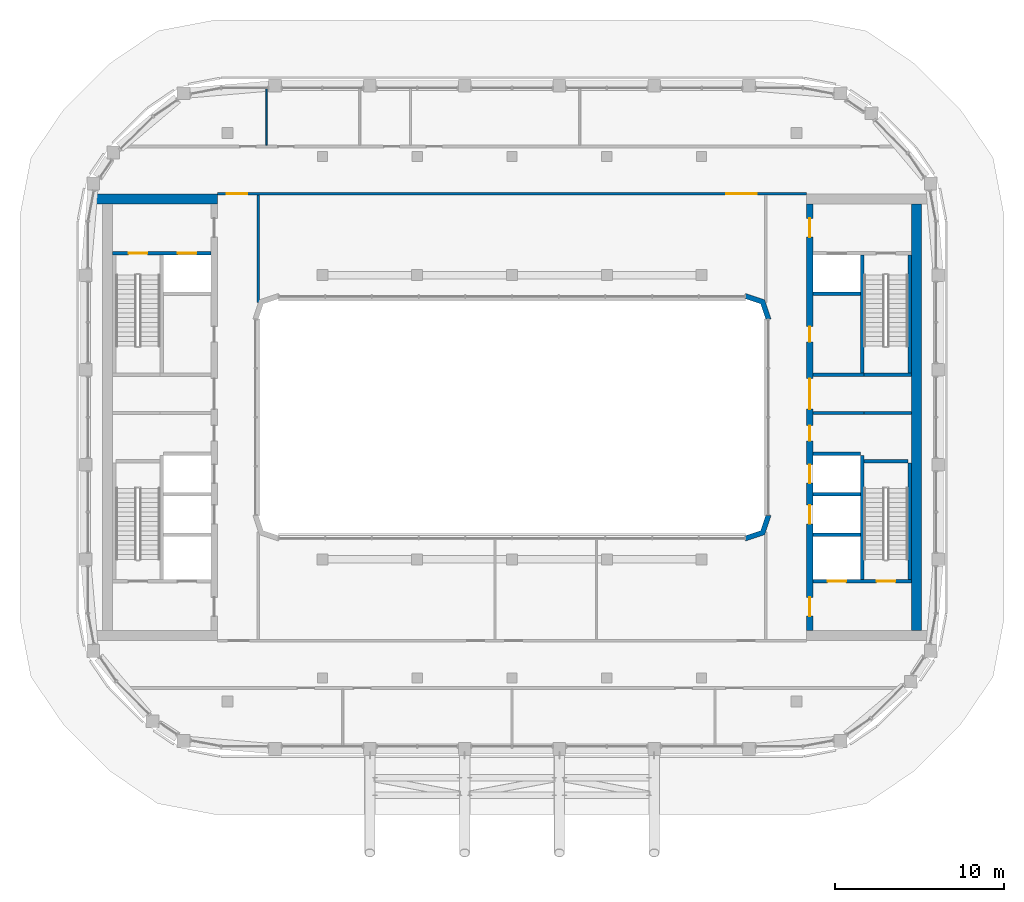
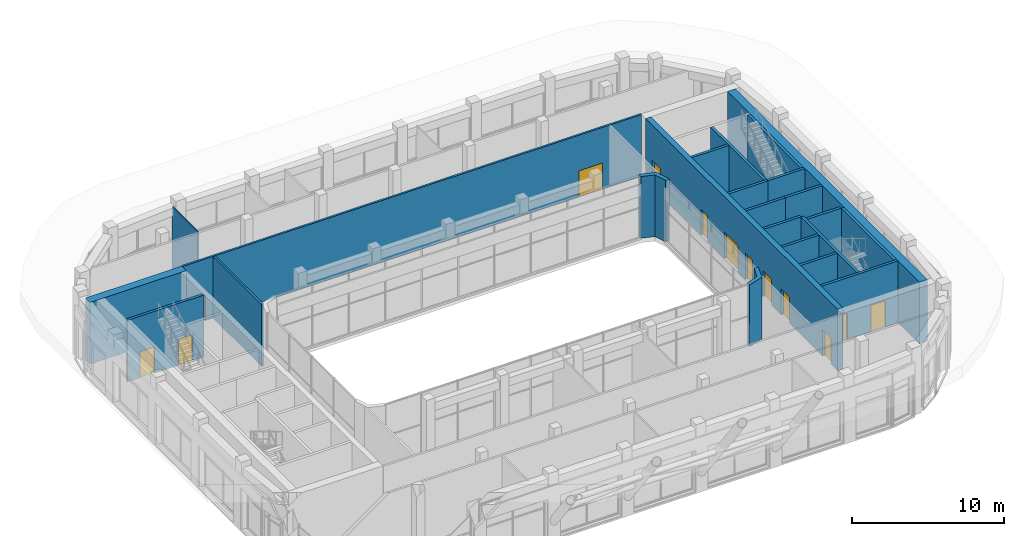
# One storey, part 17 of 24: 23 walls, 13 doors, 13 openings.
"""IFC4 building model written with IfcOpenShell, lengths in metres."""

from ifc_helpers import new_model, si_unit, direction, frame, frame_2d, origin, place, context, subcontext, project, spatial, polyline, rectangle, outline, extrude, material, layer, layer_set, type_object, element, fill, save


model = new_model("IFC4")

# Units and contexts
model_context = context("Model", 3, precision=1e-05, world=origin(), true_north=direction((0.0, 1.0)))
body_context = subcontext(model_context, "Body", "Model", "MODEL_VIEW")
ifc_project = project(units=[si_unit("LENGTHUNIT", "METRE"), si_unit("AREAUNIT", "SQUARE_METRE"), si_unit("VOLUMEUNIT", "CUBIC_METRE"), si_unit("PLANEANGLEUNIT", "RADIAN"), si_unit("MASSUNIT", "GRAM", prefix="KILO")], contexts=[model_context])

# Site, building, storey
site_placement = place(None, origin())
site = spatial("IfcSite", under=ifc_project, at=site_placement, CompositionType="ELEMENT")
building_placement = place(site_placement, origin())
building = spatial("IfcBuilding", under=site, at=building_placement, Name="Kiln Ring Residences", CompositionType="ELEMENT")
storey_placement = place(building_placement, frame((0.0, 0.0, 283.699951171875)))
storey = spatial("IfcBuildingStorey", under=building, at=storey_placement, Name="L74", CompositionType="ELEMENT", Elevation=283.699951171875)

# Walls
ifc_material_1 = material(Name="Gypsum board on steel studs", Category="steel")
ifc_layer_1 = layer(ifc_material_1, 0.199951171875)
ifc_layer_set_1 = layer_set([ifc_layer_1], Name="CORE-PARTITION-200")
wall_type_1 = type_object("IfcWallType", Name="CORE-PARTITION-200", PredefinedType="PARTITIONING", material=ifc_layer_set_1)
wall_1_placement = place(storey_placement, frame((20.800048828125, 0.25, 0.0), z_axis=(0.0, 0.0, 1.0), x_axis=(1.0, 0.0, 0.0)))
element("IfcWall", 1, at=wall_1_placement, inside=storey, type_object=wall_type_1, Name="Core partition east L74 1", PredefinedType="PARTITIONING", context=body_context, shape_type="SweptSolid", body=[
    extrude(rectangle(XDim=2.800048828125, YDim=0.199951171875, at=frame_2d((1.39990234375, 0.0))), origin(), (0.0, 0.0, 1.0), 4.949951171875),
])
ifc_material_2 = material(Name="Gypsum shaft wall system")
ifc_layer_2 = layer(ifc_material_2, 0.199951171875)
ifc_layer_set_2 = layer_set([ifc_layer_2], Name="CORE-SHAFT-WALL-200")
wall_type_2 = type_object("IfcWallType", Name="CORE-SHAFT-WALL-200", PredefinedType="PARTITIONING", material=ifc_layer_set_2)
for number, where, z_axis, x_axis, name in (
    (2, (17.800048828125, -6.949951171875, 0.0), (0.0, 0.0, 1.0), (1.0, 0.0, 0.0), "Core partition east L74 2"),
    (3, (17.800048828125, -4.550048828125, 0.0), (0.0, 0.0, 1.0), (1.0, 0.0, 0.0), "Core partition east L74 3"),
    (4, (17.800048828125, -2.14990234375, 0.0), (0.0, 0.0, 1.0), (1.0, 0.0, 0.0), "Core partition east L74 4"),
):
    element("IfcWall", number, at=place(storey_placement, frame(where, z_axis=z_axis, x_axis=x_axis)), inside=storey, type_object=wall_type_2, Name=name, PredefinedType="PARTITIONING", context=body_context, shape_type="SweptSolid", body=[
        extrude(rectangle(XDim=2.800048828125, YDim=0.199951171875, at=frame_2d((1.39990234375, 0.0))), origin(), (0.0, 0.0, 1.0), 4.949951171875),
    ])
for number, where, z_axis, x_axis, name in (
    (5, (17.800048828125, 0.25, 0.0), (0.0, 0.0, 1.0), (1.0, 0.0, 0.0), "Core partition east L74 5"),
    (6, (17.800048828125, 2.5, 0.0), (0.0, 0.0, 1.0), (1.0, 0.0, 0.0), "Core partition east L74 6"),
):
    element("IfcWall", number, at=place(storey_placement, frame(where, z_axis=z_axis, x_axis=x_axis)), inside=storey, type_object=wall_type_2, Name=name, PredefinedType="PARTITIONING", context=body_context, shape_type="SweptSolid", body=[
        extrude(rectangle(XDim=3.0, YDim=0.199951171875, at=frame_2d((1.5, 0.0))), origin(), (0.0, 0.0, 1.0), 4.949951171875),
    ])
wall_2_placement = place(storey_placement, frame((17.800048828125, 7.300048828125, 0.0), z_axis=(0.0, 0.0, 1.0), x_axis=(1.0, 0.0, 0.0)))
element("IfcWall", 7, at=wall_2_placement, inside=storey, type_object=wall_type_2, Name="Core partition east L74 7", PredefinedType="PARTITIONING", context=body_context, shape_type="SweptSolid", body=[
    extrude(rectangle(XDim=2.800048828125, YDim=0.199951171875, at=frame_2d((1.39990234375, 0.0))), origin(), (0.0, 0.0, 1.0), 4.949951171875),
])

# Wall, openings, doors
ifc_material_3 = material(Name="Concrete C40/50", Category="concrete")
ifc_layer_3 = layer(ifc_material_3, 0.199951171875)
ifc_layer_set_3 = layer_set([ifc_layer_3], Name="CORE-WALL-RC200")
wall_type_3 = type_object("IfcWallType", Name="CORE-WALL-RC200", PredefinedType="SHEAR", material=ifc_layer_set_3)
wall_3_placement = place(storey_placement, frame((-17.800048828125, 9.699951171875, 0.0), z_axis=(0.0, 0.0, 1.0), x_axis=(-1.0, 0.0, 0.0)))
wall_3 = element("IfcWall", 8, at=wall_3_placement, inside=storey, type_object=wall_type_3, Name="Core wall west L74 9", PredefinedType="SHEAR", context=body_context, shape_type="SweptSolid", body=[
    extrude(rectangle(XDim=5.800048828125, YDim=0.199951171875, at=frame_2d((2.89990234375, 0.0))), origin(), (0.0, 0.0, 1.0), 4.949951171875),
])
opening_1_placement = place(wall_3_placement, frame((0.85009765625, 0.0, 0.0)))
opening_1 = element("IfcOpeningElement", 9, at=opening_1_placement, cuts=wall_3, Name="Opening L74-CW06", PredefinedType="OPENING", context=body_context, shape_type="SweptSolid", body=[
    extrude(rectangle(XDim=1.10009765625, YDim=2.10009765625, at=frame_2d((0.550048828125, 1.050048828125))), frame((0.0, 0.10986328125, 0.0), z_axis=(0.0, -1.0, 0.0), x_axis=(1.0, 0.0, 0.0)), (0.0, 0.0, 1.0), 0.219970703125),
])
opening_2_placement = place(wall_3_placement, frame((3.75, 0.0, 0.0)))
opening_2 = element("IfcOpeningElement", 10, at=opening_2_placement, cuts=wall_3, Name="Opening L74-CW09", PredefinedType="OPENING", context=body_context, shape_type="SweptSolid", body=[
    extrude(rectangle(XDim=1.10009765625, YDim=2.10009765625, at=frame_2d((0.550048828125, 1.050048828125))), frame((0.0, 0.10986328125, 0.0), z_axis=(0.0, -1.0, 0.0), x_axis=(1.0, 0.0, 0.0)), (0.0, 0.0, 1.0), 0.219970703125),
])
ifc_material_4 = material(Name="Steel door leaf", Category="steel")
door_type_1 = type_object("IfcDoorType", Name="CORE-DOOR-LD", OperationType="DOUBLE_DOOR_SLIDING", PredefinedType="DOOR", material=ifc_material_4)
door_1_placement = place(opening_1_placement, origin())
door_1 = element("IfcDoor", 11, at=door_1_placement, inside=storey, type_object=door_type_1, Name="LD W-FF L74-CW06", OperationType="DOUBLE_DOOR_SLIDING", OverallHeight=2.10009765625, OverallWidth=1.10009765625, PredefinedType="DOOR", context=body_context, shape_type="SweptSolid", body=[
    extrude(rectangle(XDim=1.10009765625, YDim=2.10009765625, at=frame_2d((0.550048828125, 1.050048828125))), frame((0.0, 0.02490234375, 0.0), z_axis=(0.0, -1.0, 0.0), x_axis=(1.0, 0.0, 0.0)), (0.0, 0.0, 1.0), 0.050048828125),
])
fill(opening_1, door_1)
ifc_material_5 = material(Name="Steel door leaf", Category="steel")
door_type_2 = type_object("IfcDoorType", Name="CORE-DOOR-STAIR", OperationType="SINGLE_SWING_LEFT", PredefinedType="DOOR", material=ifc_material_5)
door_2_placement = place(opening_2_placement, origin())
door_2 = element("IfcDoor", 12, at=door_2_placement, inside=storey, type_object=door_type_2, Name="Stair W-STN L74-CW09", OperationType="SINGLE_SWING_LEFT", OverallHeight=2.10009765625, OverallWidth=1.10009765625, PredefinedType="DOOR", context=body_context, shape_type="SweptSolid", body=[
    extrude(rectangle(XDim=1.10009765625, YDim=2.10009765625, at=frame_2d((0.550048828125, 1.050048828125))), frame((0.0, 0.02490234375, 0.0), z_axis=(0.0, -1.0, 0.0), x_axis=(1.0, 0.0, 0.0)), (0.0, 0.0, 1.0), 0.050048828125),
])
fill(opening_2, door_2)

# Walls
wall_4_placement = place(storey_placement, frame((20.699951171875, 2.60009765625, 0.0), z_axis=(0.0, 0.0, 1.0), x_axis=(0.0, 1.0, 0.0)))
element("IfcWall", 13, at=wall_4_placement, inside=storey, type_object=wall_type_3, Name="Core wall east L74 1", PredefinedType="SHEAR", context=body_context, shape_type="SweptSolid", body=[
    extrude(rectangle(XDim=7.0, YDim=0.199951171875, at=frame_2d((3.5, 0.0))), origin(), (0.0, 0.0, 1.0), 4.949951171875),
])
wall_5_placement = place(storey_placement, frame((20.699951171875, -9.60009765625, 0.0), z_axis=(0.0, 0.0, 1.0), x_axis=(0.0, 1.0, 0.0)))
element("IfcWall", 14, at=wall_5_placement, inside=storey, type_object=wall_type_3, Name="Core wall east L74 2", PredefinedType="SHEAR", context=body_context, shape_type="SweptSolid", body=[
    extrude(rectangle(XDim=7.35009765625, YDim=0.199951171875, at=frame_2d((3.675048828125, 0.0))), origin(), (0.0, 0.0, 1.0), 4.949951171875),
])
wall_6_placement = place(storey_placement, frame((20.800048828125, 2.5, 0.0), z_axis=(0.0, 0.0, 1.0), x_axis=(1.0, 0.0, 0.0)))
element("IfcWall", 15, at=wall_6_placement, inside=storey, type_object=wall_type_3, Name="Core wall east L74 3", PredefinedType="SHEAR", context=body_context, shape_type="SweptSolid", body=[
    extrude(rectangle(XDim=2.800048828125, YDim=0.199951171875, at=frame_2d((1.39990234375, 0.0))), origin(), (0.0, 0.0, 1.0), 4.949951171875),
])

# Wall, openings, doors
wall_7_placement = place(storey_placement, frame((17.800048828125, -9.699951171875, 0.0), z_axis=(0.0, 0.0, 1.0), x_axis=(1.0, 0.0, 0.0)))
wall_7 = element("IfcWall", 16, at=wall_7_placement, inside=storey, type_object=wall_type_3, Name="Core wall east L74 8", PredefinedType="SHEAR", context=body_context, shape_type="SweptSolid", body=[
    extrude(rectangle(XDim=5.800048828125, YDim=0.199951171875, at=frame_2d((2.89990234375, 0.0))), origin(), (0.0, 0.0, 1.0), 4.949951171875),
])
opening_3_placement = place(wall_7_placement, frame((0.85009765625, 0.0, 0.0)))
opening_3 = element("IfcOpeningElement", 17, at=opening_3_placement, cuts=wall_7, Name="Opening L74-CE01", PredefinedType="OPENING", context=body_context, shape_type="SweptSolid", body=[
    extrude(rectangle(XDim=1.10009765625, YDim=2.10009765625, at=frame_2d((0.550048828125, 1.050048828125))), frame((0.0, 0.10986328125, 0.0), z_axis=(0.0, -1.0, 0.0), x_axis=(1.0, 0.0, 0.0)), (0.0, 0.0, 1.0), 0.219970703125),
])
opening_4_placement = place(wall_7_placement, frame((3.75, 0.0, 0.0)))
opening_4 = element("IfcOpeningElement", 18, at=opening_4_placement, cuts=wall_7, Name="Opening L74-CE10", PredefinedType="OPENING", context=body_context, shape_type="SweptSolid", body=[
    extrude(rectangle(XDim=1.10009765625, YDim=2.10009765625, at=frame_2d((0.550048828125, 1.050048828125))), frame((0.0, 0.10986328125, 0.0), z_axis=(0.0, -1.0, 0.0), x_axis=(1.0, 0.0, 0.0)), (0.0, 0.0, 1.0), 0.219970703125),
])
door_3_placement = place(opening_3_placement, origin())
door_3 = element("IfcDoor", 19, at=door_3_placement, inside=storey, type_object=door_type_1, Name="LD E-SV L74-CE01", OperationType="DOUBLE_DOOR_SLIDING", OverallHeight=2.10009765625, OverallWidth=1.10009765625, PredefinedType="DOOR", context=body_context, shape_type="SweptSolid", body=[
    extrude(rectangle(XDim=1.10009765625, YDim=2.10009765625, at=frame_2d((0.550048828125, 1.050048828125))), frame((0.0, 0.02490234375, 0.0), z_axis=(0.0, -1.0, 0.0), x_axis=(1.0, 0.0, 0.0)), (0.0, 0.0, 1.0), 0.050048828125),
])
fill(opening_3, door_3)
door_4_placement = place(opening_4_placement, origin())
door_4 = element("IfcDoor", 20, at=door_4_placement, inside=storey, type_object=door_type_2, Name="Stair E-STS L74-CE10", OperationType="SINGLE_SWING_RIGHT", OverallHeight=2.10009765625, OverallWidth=1.10009765625, PredefinedType="DOOR", context=body_context, shape_type="SweptSolid", body=[
    extrude(rectangle(XDim=1.10009765625, YDim=2.10009765625, at=frame_2d((0.550048828125, 1.050048828125))), frame((0.0, 0.02490234375, 0.0), z_axis=(0.0, -1.0, 0.0), x_axis=(1.0, 0.0, 0.0)), (0.0, 0.0, 1.0), 0.050048828125),
])
fill(opening_4, door_4)

# Walls
wall_8_placement = place(storey_placement, frame((23.5, 2.60009765625, 0.0), z_axis=(0.0, 0.0, 1.0), x_axis=(0.0, 1.0, 0.0)))
element("IfcWall", 21, at=wall_8_placement, inside=storey, type_object=wall_type_3, Name="Core wall east L74 10", PredefinedType="SHEAR", context=body_context, shape_type="SweptSolid", body=[
    extrude(rectangle(XDim=7.0, YDim=0.199951171875, at=frame_2d((3.5, 0.0))), origin(), (0.0, 0.0, 1.0), 4.949951171875),
])
wall_9_placement = place(storey_placement, frame((23.5, -9.60009765625, 0.0), z_axis=(0.0, 0.0, 1.0), x_axis=(0.0, 1.0, 0.0)))
element("IfcWall", 22, at=wall_9_placement, inside=storey, type_object=wall_type_3, Name="Core wall east L74 11", PredefinedType="SHEAR", context=body_context, shape_type="SweptSolid", body=[
    extrude(rectangle(XDim=6.900146484375, YDim=0.199951171875, at=frame_2d((3.4501953125, 0.0))), origin(), (0.0, 0.0, 1.0), 4.949951171875),
])
wall_10_placement = place(storey_placement, frame((20.800048828125, -2.60009765625, 0.0), z_axis=(0.0, 0.0, 1.0), x_axis=(1.0, 0.0, 0.0)))
element("IfcWall", 23, at=wall_10_placement, inside=storey, type_object=wall_type_3, Name="Core wall east L74 12", PredefinedType="SHEAR", context=body_context, shape_type="SweptSolid", body=[
    extrude(rectangle(XDim=2.599853515625, YDim=0.199951171875, at=frame_2d((1.2998046875, 0.0))), origin(), (0.0, 0.0, 1.0), 4.949951171875),
])

# Wall, openings, doors
ifc_material_6 = material(Name="Concrete C60/75", Category="concrete")
ifc_layer_4 = layer(ifc_material_6, 0.39990234375)
ifc_layer_set_4 = layer_set([ifc_layer_4], Name="CORE-WALL-RC400")
wall_type_4 = type_object("IfcWallType", Name="CORE-WALL-RC400", PredefinedType="SHEAR", material=ifc_layer_set_4)
wall_11_placement = place(storey_placement, frame((17.60009765625, -12.60009765625, 0.0), z_axis=(0.0, 0.0, 1.0), x_axis=(0.0, 1.0, 0.0)))
wall_11 = element("IfcWall", 24, at=wall_11_placement, inside=storey, type_object=wall_type_4, Name="Core wall east L74 6", PredefinedType="SHEAR", context=body_context, shape_type="SweptSolid", body=[
    extrude(rectangle(XDim=25.2001953125, YDim=0.39990234375, at=frame_2d((12.60009765625, 0.0))), origin(), (0.0, 0.0, 1.0), 4.949951171875),
])
opening_5_placement = place(wall_11_placement, frame((6.300048828125, 0.0, 0.0)))
opening_5 = element("IfcOpeningElement", 25, at=opening_5_placement, cuts=wall_11, Name="Opening L74-CE02", PredefinedType="OPENING", context=body_context, shape_type="SweptSolid", body=[
    extrude(rectangle(XDim=1.10009765625, YDim=2.10009765625, at=frame_2d((0.550048828125, 1.050048828125))), frame((0.0, 0.2099609375, 0.0), z_axis=(0.0, -1.0, 0.0), x_axis=(1.0, 0.0, 0.0)), (0.0, 0.0, 1.0), 0.419921875),
])
opening_6_placement = place(wall_11_placement, frame((8.699951171875, 0.0, 0.0)))
opening_6 = element("IfcOpeningElement", 26, at=opening_6_placement, cuts=wall_11, Name="Opening L74-CE03", PredefinedType="OPENING", context=body_context, shape_type="SweptSolid", body=[
    extrude(rectangle(XDim=1.10009765625, YDim=2.10009765625, at=frame_2d((0.550048828125, 1.050048828125))), frame((0.0, 0.2099609375, 0.0), z_axis=(0.0, -1.0, 0.0), x_axis=(1.0, 0.0, 0.0)), (0.0, 0.0, 1.0), 0.419921875),
])
opening_7_placement = place(wall_11_placement, frame((11.199951171875, 0.0, 0.0)))
opening_7 = element("IfcOpeningElement", 27, at=opening_7_placement, cuts=wall_11, Name="Opening L74-CE04", PredefinedType="OPENING", context=body_context, shape_type="SweptSolid", body=[
    extrude(rectangle(XDim=0.89990234375, YDim=2.10009765625, at=frame_2d((0.449951171875, 1.050048828125))), frame((0.0, 0.2099609375, 0.0), z_axis=(0.0, -1.0, 0.0), x_axis=(1.0, 0.0, 0.0)), (0.0, 0.0, 1.0), 0.419921875),
])
opening_8_placement = place(wall_11_placement, frame((17.050048828125, 0.0, 0.0)))
opening_8 = element("IfcOpeningElement", 28, at=opening_8_placement, cuts=wall_11, Name="Opening L74-CE05", PredefinedType="OPENING", context=body_context, shape_type="SweptSolid", body=[
    extrude(rectangle(XDim=0.89990234375, YDim=2.10009765625, at=frame_2d((0.449951171875, 1.050048828125))), frame((0.0, 0.2099609375, 0.0), z_axis=(0.0, -1.0, 0.0), x_axis=(1.0, 0.0, 0.0)), (0.0, 0.0, 1.0), 0.419921875),
])
opening_9_placement = place(wall_11_placement, frame((23.25, 0.0, 0.0)))
opening_9 = element("IfcOpeningElement", 29, at=opening_9_placement, cuts=wall_11, Name="Opening L74-CE07", PredefinedType="OPENING", context=body_context, shape_type="SweptSolid", body=[
    extrude(rectangle(XDim=1.10009765625, YDim=2.10009765625, at=frame_2d((0.550048828125, 1.050048828125))), frame((0.0, 0.2099609375, 0.0), z_axis=(0.0, -1.0, 0.0), x_axis=(1.0, 0.0, 0.0)), (0.0, 0.0, 1.0), 0.419921875),
])
opening_10_placement = place(wall_11_placement, frame((0.85009765625, 0.0, 0.0)))
opening_10 = element("IfcOpeningElement", 30, at=opening_10_placement, cuts=wall_11, Name="Opening L74-CE08", PredefinedType="OPENING", context=body_context, shape_type="SweptSolid", body=[
    extrude(rectangle(XDim=1.10009765625, YDim=2.10009765625, at=frame_2d((0.550048828125, 1.050048828125))), frame((0.0, 0.2099609375, 0.0), z_axis=(0.0, -1.0, 0.0), x_axis=(1.0, 0.0, 0.0)), (0.0, 0.0, 1.0), 0.419921875),
])
opening_11_placement = place(wall_11_placement, frame((13.074951171875, 0.0, 0.0)))
opening_11 = element("IfcOpeningElement", 31, at=opening_11_placement, cuts=wall_11, Name="Opening L74-CE11", PredefinedType="OPENING", context=body_context, shape_type="SweptSolid", body=[
    extrude(rectangle(XDim=1.800048828125, YDim=2.10009765625, at=frame_2d((0.89990234375, 1.050048828125))), frame((0.0, 0.2099609375, 0.0), z_axis=(0.0, -1.0, 0.0), x_axis=(1.0, 0.0, 0.0)), (0.0, 0.0, 1.0), 0.419921875),
])
door_5_placement = place(opening_5_placement, origin())
door_5 = element("IfcDoor", 32, at=door_5_placement, inside=storey, type_object=door_type_1, Name="LD E-H1 L74-CE02", OperationType="DOUBLE_DOOR_SLIDING", OverallHeight=2.10009765625, OverallWidth=1.10009765625, PredefinedType="DOOR", context=body_context, shape_type="SweptSolid", body=[
    extrude(rectangle(XDim=1.10009765625, YDim=2.10009765625, at=frame_2d((0.550048828125, 1.050048828125))), frame((0.0, 0.02490234375, 0.0), z_axis=(0.0, -1.0, 0.0), x_axis=(1.0, 0.0, 0.0)), (0.0, 0.0, 1.0), 0.050048828125),
])
fill(opening_5, door_5)
door_6_placement = place(opening_6_placement, origin())
door_6 = element("IfcDoor", 33, at=door_6_placement, inside=storey, type_object=door_type_1, Name="LD E-H2 L74-CE03", OperationType="DOUBLE_DOOR_SLIDING", OverallHeight=2.10009765625, OverallWidth=1.10009765625, PredefinedType="DOOR", context=body_context, shape_type="SweptSolid", body=[
    extrude(rectangle(XDim=1.10009765625, YDim=2.10009765625, at=frame_2d((0.550048828125, 1.050048828125))), frame((0.0, 0.02490234375, 0.0), z_axis=(0.0, -1.0, 0.0), x_axis=(1.0, 0.0, 0.0)), (0.0, 0.0, 1.0), 0.050048828125),
])
fill(opening_6, door_6)
ifc_material_7 = material(Name="Steel door leaf", Category="steel")
door_type_3 = type_object("IfcDoorType", Name="CORE-DOOR-LOBBY", OperationType="SINGLE_SWING_LEFT", PredefinedType="DOOR", material=ifc_material_7)
door_7_placement = place(opening_9_placement, origin())
door_7 = element("IfcDoor", 34, at=door_7_placement, inside=storey, type_object=door_type_3, Name="FFL L74-CE07", OperationType="SINGLE_SWING_LEFT", OverallHeight=2.10009765625, OverallWidth=1.10009765625, PredefinedType="DOOR", context=body_context, shape_type="SweptSolid", body=[
    extrude(rectangle(XDim=1.10009765625, YDim=2.10009765625, at=frame_2d((0.550048828125, 1.050048828125))), frame((0.0, 0.02490234375, 0.0), z_axis=(0.0, -1.0, 0.0), x_axis=(1.0, 0.0, 0.0)), (0.0, 0.0, 1.0), 0.050048828125),
])
fill(opening_9, door_7)
door_8_placement = place(opening_10_placement, origin())
door_8 = element("IfcDoor", 35, at=door_8_placement, inside=storey, type_object=door_type_3, Name="SVL L74-CE08", OperationType="SINGLE_SWING_RIGHT", OverallHeight=2.10009765625, OverallWidth=1.10009765625, PredefinedType="DOOR", context=body_context, shape_type="SweptSolid", body=[
    extrude(rectangle(XDim=1.10009765625, YDim=2.10009765625, at=frame_2d((0.550048828125, 1.050048828125))), frame((0.0, 0.02490234375, 0.0), z_axis=(0.0, -1.0, 0.0), x_axis=(1.0, 0.0, 0.0)), (0.0, 0.0, 1.0), 0.050048828125),
])
fill(opening_10, door_8)
ifc_material_8 = material(Name="Steel door leaf", Category="steel")
door_type_4 = type_object("IfcDoorType", Name="CORE-DOOR-PASS", OperationType="DOUBLE_DOOR_SINGLE_SWING", PredefinedType="DOOR", material=ifc_material_8)
door_9_placement = place(opening_11_placement, origin())
door_9 = element("IfcDoor", 36, at=door_9_placement, inside=storey, type_object=door_type_4, Name="Core passage L74-CE11", OperationType="DOUBLE_DOOR_SINGLE_SWING", OverallHeight=2.10009765625, OverallWidth=1.800048828125, PredefinedType="DOOR", context=body_context, shape_type="SweptSolid", body=[
    extrude(rectangle(XDim=1.800048828125, YDim=2.10009765625, at=frame_2d((0.89990234375, 1.050048828125))), frame((0.0, 0.02490234375, 0.0), z_axis=(0.0, -1.0, 0.0), x_axis=(1.0, 0.0, 0.0)), (0.0, 0.0, 1.0), 0.050048828125),
])
fill(opening_11, door_9)
ifc_material_9 = material(Name="Steel door leaf", Category="steel")
door_type_5 = type_object("IfcDoorType", Name="CORE-DOOR-ROOM", OperationType="SINGLE_SWING_LEFT", PredefinedType="DOOR", material=ifc_material_9)
door_10_placement = place(opening_7_placement, origin())
door_10 = element("IfcDoor", 37, at=door_10_placement, inside=storey, type_object=door_type_5, Name="Cleaner's base L74-CE04", OperationType="SINGLE_SWING_LEFT", OverallHeight=2.10009765625, OverallWidth=0.89990234375, PredefinedType="DOOR", context=body_context, shape_type="SweptSolid", body=[
    extrude(rectangle(XDim=0.89990234375, YDim=2.10009765625, at=frame_2d((0.449951171875, 1.050048828125))), frame((0.0, 0.02490234375, 0.0), z_axis=(0.0, -1.0, 0.0), x_axis=(1.0, 0.0, 0.0)), (0.0, 0.0, 1.0), 0.050048828125),
])
fill(opening_7, door_10)
door_11_placement = place(opening_8_placement, origin())
door_11 = element("IfcDoor", 38, at=door_11_placement, inside=storey, type_object=door_type_5, Name="Goods store L74-CE05", OperationType="SINGLE_SWING_RIGHT", OverallHeight=2.10009765625, OverallWidth=0.89990234375, PredefinedType="DOOR", context=body_context, shape_type="SweptSolid", body=[
    extrude(rectangle(XDim=0.89990234375, YDim=2.10009765625, at=frame_2d((0.449951171875, 1.050048828125))), frame((0.0, 0.02490234375, 0.0), z_axis=(0.0, -1.0, 0.0), x_axis=(1.0, 0.0, 0.0)), (0.0, 0.0, 1.0), 0.050048828125),
])
fill(opening_8, door_11)

# Walls
ifc_material_10 = material(Name="Concrete C60/75", Category="concrete")
ifc_layer_5 = layer(ifc_material_10, 0.60009765625)
ifc_layer_set_5 = layer_set([ifc_layer_5], Name="CORE-WALL-RC600")
wall_type_5 = type_object("IfcWallType", Name="CORE-WALL-RC600", PredefinedType="SHEAR", material=ifc_layer_set_5)
wall_12_placement = place(storey_placement, frame((-17.39990234375, 12.89990234375, 0.0), z_axis=(0.0, 0.0, 1.0), x_axis=(-1.0, 0.0, 0.0)))
element("IfcWall", 39, at=wall_12_placement, inside=storey, type_object=wall_type_5, Name="Core wall west L74 4", PredefinedType="SHEAR", context=body_context, shape_type="SweptSolid", body=[
    extrude(rectangle(XDim=7.320068359375, YDim=0.60009765625, at=frame_2d((3.66015625, 0.0))), origin(), (0.0, 0.0, 1.0), 4.949951171875),
])
wall_13_placement = place(storey_placement, frame((23.89990234375, -12.60009765625, 0.0), z_axis=(0.0, 0.0, 1.0), x_axis=(0.0, 1.0, 0.0)))
element("IfcWall", 40, at=wall_13_placement, inside=storey, type_object=wall_type_5, Name="Core wall east L74 7", PredefinedType="SHEAR", context=body_context, shape_type="SweptSolid", body=[
    extrude(rectangle(XDim=25.2001953125, YDim=0.60009765625, at=frame_2d((12.60009765625, 0.0))), origin(), (0.0, 0.0, 1.0), 4.949951171875),
])
ifc_material_11 = material(Name="Brick masonry, dark clay brick", Category="masonry")
ifc_layer_6 = layer(ifc_material_11, 0.300048828125)
ifc_layer_set_6 = layer_set([ifc_layer_6], Name="EW-300 BRICK WALL")
wall_type_6 = type_object("IfcWallType", Name="EW-300 BRICK WALL", PredefinedType="SOLIDWALL", material=ifc_layer_set_6)
placement = place(storey_placement, origin())
element("IfcWall", 41, at=placement, inside=storey, type_object=wall_type_6, Name="Corner wall L74 2", PredefinedType="SOLIDWALL", context=body_context, shape_type="SweptSolid", body=[
    extrude(outline(polyline([(14.937255859375, 6.937255859375), (13.8486328125, 7.300048828125), (13.800048828125, 7.300048828125), (13.800048828125, 7.0), (14.699951171875, 6.699951171875), (15.0, 5.800048828125), (15.300048828125, 5.800048828125), (15.300048828125, 5.8486328125), (14.937255859375, 6.937255859375)])), origin(), (0.0, 0.0, 1.0), 4.949951171875),
])
element("IfcWall", 42, at=placement, inside=storey, type_object=wall_type_6, Name="Corner wall L74 3", PredefinedType="SOLIDWALL", context=body_context, shape_type="SweptSolid", body=[
    extrude(outline(polyline([(14.937255859375, -6.937255859375), (15.300048828125, -5.8486328125), (15.300048828125, -5.800048828125), (15.0, -5.800048828125), (14.699951171875, -6.699951171875), (13.800048828125, -7.0), (13.800048828125, -7.300048828125), (13.8486328125, -7.300048828125), (14.937255859375, -6.937255859375)])), origin(), (0.0, 0.0, 1.0), 4.949951171875),
])
ifc_material_12 = material(Name="Gypsum board on steel studs", Category="steel")
ifc_layer_7 = layer(ifc_material_12, 0.10009765625)
ifc_layer_set_7 = layer_set([ifc_layer_7], Name="PARTITION-100")
wall_type_7 = type_object("IfcWallType", Name="PARTITION-100", PredefinedType="PARTITIONING", material=ifc_layer_set_7)
wall_16_placement = place(storey_placement, frame((-14.5, 16.074951171875, 0.0), z_axis=(0.0, 0.0, 1.0), x_axis=(0.0, 1.0, 0.0)))
element("IfcWall", 43, at=wall_16_placement, inside=storey, type_object=wall_type_7, Name="Partition 006", PredefinedType="PARTITIONING", context=body_context, shape_type="SweptSolid", body=[
    extrude(rectangle(XDim=3.341064453125, YDim=0.10009765625, at=frame_2d((1.67041015625, 0.0))), origin(), (0.0, 0.0, 1.0), 4.949951171875),
])

# Wall, openings, doors
ifc_material_13 = material(Name="Brick masonry partition", Category="masonry")
ifc_layer_8 = layer(ifc_material_13, 0.14990234375)
ifc_layer_set_8 = layer_set([ifc_layer_8], Name="PARTITION-150-ei60")
wall_type_8 = type_object("IfcWallType", Name="PARTITION-150-ei60", PredefinedType="PARTITIONING", material=ifc_layer_set_8)
wall_17_placement = place(storey_placement, frame((-17.39990234375, 13.199951171875, 0.0), z_axis=(0.0, 0.0, 1.0), x_axis=(1.0, 0.0, 0.0)))
wall_17 = element("IfcWall", 44, at=wall_17_placement, inside=storey, type_object=wall_type_8, Name="Partition 002", PredefinedType="PARTITIONING", context=body_context, shape_type="SweptSolid", body=[
    extrude(rectangle(XDim=34.7998046875, YDim=0.14990234375, at=frame_2d((17.39990234375, 0.0))), origin(), (0.0, 0.0, 1.0), 4.949951171875),
])
opening_12_placement = place(wall_17_placement, frame((0.550048828125, 0.0, 0.0)))
opening_12 = element("IfcOpeningElement", 45, at=opening_12_placement, cuts=wall_17, Name="Opening L74-D001", PredefinedType="OPENING", context=body_context, shape_type="SweptSolid", body=[
    extrude(rectangle(XDim=1.199951171875, YDim=2.10009765625, at=frame_2d((0.60009765625, 1.050048828125))), frame((0.0, 0.0849609375, 0.0), z_axis=(0.0, -1.0, 0.0), x_axis=(1.0, 0.0, 0.0)), (0.0, 0.0, 1.0), 0.169921875),
])
opening_13_placement = place(wall_17_placement, frame((30.050048828125, 0.0, 0.0)))
opening_13 = element("IfcOpeningElement", 46, at=opening_13_placement, cuts=wall_17, Name="Opening L74-D002", PredefinedType="OPENING", context=body_context, shape_type="SweptSolid", body=[
    extrude(rectangle(XDim=1.800048828125, YDim=2.10009765625, at=frame_2d((0.89990234375, 1.050048828125))), frame((0.0, 0.0849609375, 0.0), z_axis=(0.0, -1.0, 0.0), x_axis=(1.0, 0.0, 0.0)), (0.0, 0.0, 1.0), 0.169921875),
])
ifc_material_14 = material(Name="Steel faced fire door leaf", Category="steel")
door_type_6 = type_object("IfcDoorType", Name="FLAT-DOOR-1200-FR", OperationType="SINGLE_SWING_LEFT", PredefinedType="DOOR", material=ifc_material_14)
door_12_placement = place(opening_12_placement, origin())
door_12 = element("IfcDoor", 47, at=door_12_placement, inside=storey, type_object=door_type_6, Name="Door L74-D001", OperationType="SINGLE_SWING_RIGHT", OverallHeight=2.10009765625, OverallWidth=1.199951171875, PredefinedType="DOOR", context=body_context, shape_type="SweptSolid", body=[
    extrude(rectangle(XDim=1.199951171875, YDim=2.10009765625, at=frame_2d((0.60009765625, 1.050048828125))), frame((0.0, 0.02490234375, 0.0), z_axis=(0.0, -1.0, 0.0), x_axis=(1.0, 0.0, 0.0)), (0.0, 0.0, 1.0), 0.050048828125),
])
fill(opening_12, door_12)
ifc_material_15 = material(Name="Steel faced fire door leaf", Category="steel")
door_type_7 = type_object("IfcDoorType", Name="FLAT-DOOR-1800-FR", OperationType="SINGLE_SWING_LEFT", PredefinedType="DOOR", material=ifc_material_15)
door_13_placement = place(opening_13_placement, origin())
door_13 = element("IfcDoor", 48, at=door_13_placement, inside=storey, type_object=door_type_7, Name="Door L74-D002", OperationType="SINGLE_SWING_RIGHT", OverallHeight=2.10009765625, OverallWidth=1.800048828125, PredefinedType="DOOR", context=body_context, shape_type="SweptSolid", body=[
    extrude(rectangle(XDim=1.800048828125, YDim=2.10009765625, at=frame_2d((0.89990234375, 1.050048828125))), frame((0.0, 0.02490234375, 0.0), z_axis=(0.0, -1.0, 0.0), x_axis=(1.0, 0.0, 0.0)), (0.0, 0.0, 1.0), 0.050048828125),
])
fill(opening_13, door_13)

# Wall
wall_18_placement = place(storey_placement, frame((-15.0, 6.768798828125, 0.0), z_axis=(0.0, 0.0, 1.0), x_axis=(0.0, 1.0, 0.0)))
element("IfcWall", 49, at=wall_18_placement, inside=storey, type_object=wall_type_8, Name="Partition 005", PredefinedType="PARTITIONING", context=body_context, shape_type="SweptSolid", body=[
    extrude(rectangle(XDim=6.356201171875, YDim=0.14990234375, at=frame_2d((3.17822265625, 0.0))), origin(), (0.0, 0.0, 1.0), 4.949951171875),
])

save(model, "model.ifc")
